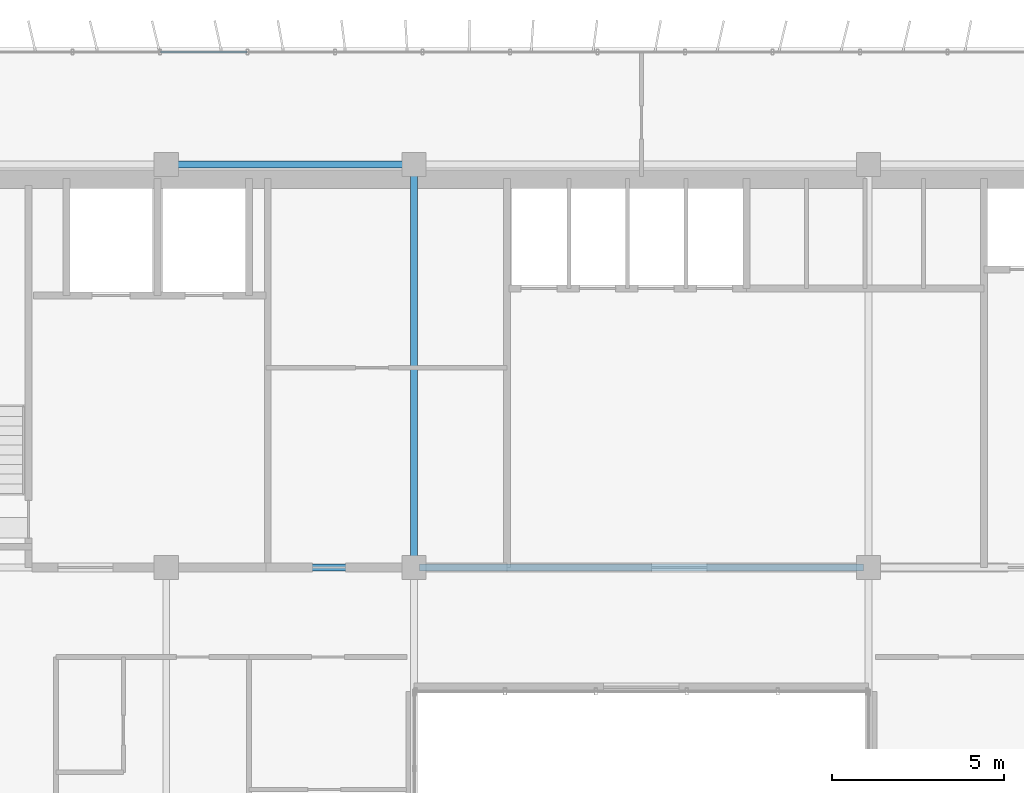
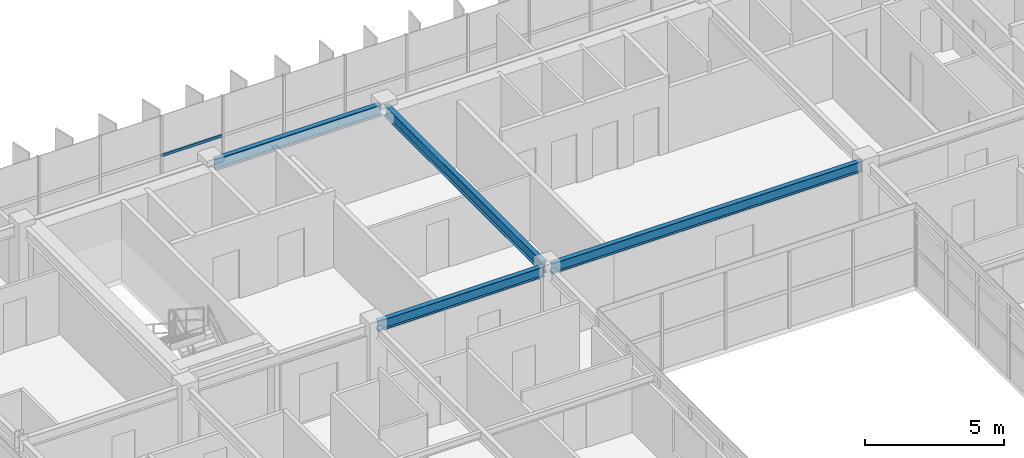
# One storey, part 17 of 34: 4 beams, 1 member, 1 element without a shape of its own.
"""IFC4 building model written with IfcOpenShell, lengths in metres."""

import ifcopenshell
import ifcopenshell.guid

model = None  # the IFC model being written
_history = None  # IfcOwnerHistory: only IFC2X3 demands one
_inside = {}  # id of a spatial element -> (the spatial element, [elements in it])
_under = {}  # id of a project, library or spatial element -> (it, [spatial elements below it])
_declared = {}  # id of a project -> (the project, [libraries it declares])
_typed = {}  # id of a type object -> (the type object, [elements of that type])
_made_of = {}  # id of a material, layer set ... -> (it, [elements and type objects made of it])


def new_model(schema):
    """Start an empty IFC model of exactly this schema.

    Asked for "IFC4X3", IfcOpenShell would pick the latest addendum, in which some entities
    have other attributes; the version numbers below select the first issue.
    IFC2X3 requires an IfcOwnerHistory on every rooted entity: one is made here for all.
    """
    global model, _history
    if schema == "IFC4X3":
        model = ifcopenshell.file(schema_version=(4, 3, 0, 0))
    else:
        model = ifcopenshell.file(schema=schema)
    _inside.clear()
    _under.clear()
    _declared.clear()
    _typed.clear()
    _made_of.clear()
    _history = None
    if model.schema == "IFC2X3":
        org = make("IfcOrganization", Name="unknown")
        user = make(
            "IfcPersonAndOrganization",
            ThePerson=make("IfcPerson", FamilyName="unknown"),
            TheOrganization=org,
        )
        app = make(
            "IfcApplication",
            ApplicationDeveloper=org,
            Version="unknown",
            ApplicationFullName="unknown",
            ApplicationIdentifier="unknown",
        )
        _history = make(
            "IfcOwnerHistory",
            OwningUser=user,
            OwningApplication=app,
            ChangeAction="ADDED",
            CreationDate=0,
        )
    return model


def make(cls, **values):
    """One entity of the class cls with the attributes given. An attribute that is None is left unset."""
    return model.create_entity(
        cls, **{name: value for name, value in values.items() if value is not None}
    )


def rooted(cls, **values):
    """An entity with a GlobalId (a new one), such as an element, a storey or a relation."""
    return make(cls, GlobalId=ifcopenshell.guid.new(), OwnerHistory=_history, **values)


def si_unit(unit_type, name, prefix=None):
    """IfcSIUnit, for example si_unit("LENGTHUNIT", "METRE", prefix="MILLI")."""
    return make("IfcSIUnit", UnitType=unit_type, Prefix=prefix, Name=name)


def assignment(units):
    """IfcUnitAssignment: the units of a project."""
    return None if units is None else make("IfcUnitAssignment", Units=units)


def point(xyz):
    """IfcCartesianPoint."""
    return None if xyz is None else make("IfcCartesianPoint", Coordinates=xyz)


def direction(xyz):
    """IfcDirection."""
    return None if xyz is None else make("IfcDirection", DirectionRatios=xyz)


def frame(location, z_axis=None, x_axis=None):
    """IfcAxis2Placement3D, a coordinate frame: its origin and axes. An axis left out is left unset."""
    return make(
        "IfcAxis2Placement3D",
        Location=point(location),
        Axis=direction(z_axis),
        RefDirection=direction(x_axis),
    )


def frame_2d(location, x_axis=None):
    """IfcAxis2Placement2D, a coordinate frame in the plane: its origin and x axis."""
    return make(
        "IfcAxis2Placement2D", Location=point(location), RefDirection=direction(x_axis)
    )


def origin():
    """The frame at (0, 0, 0) with its axes left unset."""
    return frame((0.0, 0.0, 0.0))


def origin_2d():
    """The frame at (0, 0) in the plane with its x axis left unset."""
    return frame_2d((0.0, 0.0))


def place(relative_to, where):
    """IfcLocalPlacement: puts the frame where relative to a parent placement (None: the world)."""
    return make(
        "IfcLocalPlacement", PlacementRelTo=relative_to, RelativePlacement=where
    )


def context(
    kind, dimensions, precision=None, world=None, true_north=None, identifier=None
):
    """IfcGeometricRepresentationContext, for example the 3D "Model" context."""
    return make(
        "IfcGeometricRepresentationContext",
        ContextIdentifier=identifier,
        ContextType=kind,
        CoordinateSpaceDimension=dimensions,
        Precision=precision,
        WorldCoordinateSystem=world,
        TrueNorth=true_north,
    )


def subcontext(parent, identifier, kind, view, scale=None):
    """IfcGeometricRepresentationSubContext, for example "Body" below "Model"."""
    return make(
        "IfcGeometricRepresentationSubContext",
        ContextIdentifier=identifier,
        ContextType=kind,
        ParentContext=parent,
        TargetScale=scale,
        TargetView=view,
    )


def project(units=None, contexts=None):
    """IfcProject with its units and contexts."""
    return rooted(
        "IfcProject",
        Name="project",
        RepresentationContexts=contexts,
        UnitsInContext=assignment(units),
    )


def spatial(cls, under=None, at=None, **own):
    """A site, building, storey or space (cls), placed at a placement, below another one or the project."""
    s = rooted(cls, ObjectPlacement=at, **own)
    if under is not None:
        _under.setdefault(under.id(), (under, []))[1].append(s)
    return s


def profile(cls, at=None, kind="AREA", **sizes):
    """A parametric profile (cls). Its sizes go by their IFC names, for example OverallWidth=200.0."""
    return make(cls, ProfileType=kind, Position=at, **sizes)


def hollow_rectangle(**sizes):
    """IfcRectangleHollowProfileDef."""
    return profile("IfcRectangleHollowProfileDef", **sizes)


def i_section(**sizes):
    """IfcIShapeProfileDef."""
    return profile("IfcIShapeProfileDef", **sizes)


def extrude(swept, where, along, depth):
    """IfcExtrudedAreaSolid: the profile swept, set in the frame where, extruded along a direction by depth."""
    return make(
        "IfcExtrudedAreaSolid",
        SweptArea=swept,
        Position=where,
        ExtrudedDirection=direction(along),
        Depth=depth,
    )


def shape(context_of_items, identifier, shape_type, items):
    """IfcShapeRepresentation: the items that make up one representation, for example the "Body"."""
    return make(
        "IfcShapeRepresentation",
        ContextOfItems=context_of_items,
        RepresentationIdentifier=identifier,
        RepresentationType=shape_type,
        Items=items,
    )


def source(mapping_origin, context_of_items, identifier, shape_type, items):
    """IfcRepresentationMap: a shape defined once, which mapped items show again and again."""
    return make(
        "IfcRepresentationMap",
        MappingOrigin=mapping_origin,
        MappedRepresentation=shape(context_of_items, identifier, shape_type, items),
    )


def transform(
    local_origin,
    x_axis=None,
    y_axis=None,
    z_axis=None,
    scale=None,
    scale2=None,
    scale3=None,
    uniform=True,
):
    """IfcCartesianTransformationOperator3D, or its non-uniform kind. x_axis, y_axis, z_axis: its Axis1, 2, 3."""
    if uniform:
        return make(
            "IfcCartesianTransformationOperator3D",
            Axis1=direction(x_axis),
            Axis2=direction(y_axis),
            LocalOrigin=point(local_origin),
            Scale=scale,
            Axis3=direction(z_axis),
        )
    return make(
        "IfcCartesianTransformationOperator3DnonUniform",
        Axis1=direction(x_axis),
        Axis2=direction(y_axis),
        LocalOrigin=point(local_origin),
        Scale=scale,
        Axis3=direction(z_axis),
        Scale2=scale2,
        Scale3=scale3,
    )


def mapped(mapping_source, mapping_target):
    """IfcMappedItem: shows the shape of a source again, moved by a transform."""
    return make(
        "IfcMappedItem", MappingSource=mapping_source, MappingTarget=mapping_target
    )


def material(Name=None, Category=None):
    """IfcMaterial."""
    return make("IfcMaterial", Name=Name, Category=Category)


def material_profile(
    of_material, cross_section, Name=None, Category=None, Priority=None
):
    """IfcMaterialProfile: a cross section and its material."""
    return make(
        "IfcMaterialProfile",
        Name=Name,
        Material=of_material,
        Profile=cross_section,
        Priority=Priority,
        Category=Category,
    )


def profile_set(profiles, Name=None, composite=None):
    """IfcMaterialProfileSet."""
    return make(
        "IfcMaterialProfileSet",
        Name=Name,
        MaterialProfiles=profiles,
        CompositeProfile=composite,
    )


def made_of(thing, what):
    """Note that an element or type object is made of a material, layer set ...; save() writes the relation."""
    if what is not None:
        _made_of.setdefault(what.id(), (what, []))[1].append(thing)
    return thing


def type_object(cls, material=None, **own):
    """A type object (cls), such as IfcWallType, which elements share."""
    return made_of(rooted(cls, **own), material)


def element(
    cls,
    number,
    at=None,
    inside=None,
    cuts=None,
    type_object=None,
    material=None,
    context=None,
    identifier="Body",
    shape_type=None,
    held_by="IfcProductDefinitionShape",
    body=None,
    shapes=None,
    **own,
):
    """One element of the class cls, such as IfcWall. Its Tag is "e" and its number.

    at: its placement. inside: the storey or other place that contains it. cuts: it is an
    opening in that element (IfcRelVoidsElement). A single representation is given by context,
    identifier, shape_type and body (its items); several are given by shapes. held_by: the class
    of the entity that holds the representations. save() writes the other relations.
    """
    e = rooted(cls, Tag="e%d" % number, ObjectPlacement=at, **own)
    if body is not None:
        shapes = [shape(context, identifier, shape_type, body)]
    if shapes is not None:
        e.Representation = make(held_by, Representations=shapes)
    if inside is not None:
        _inside.setdefault(inside.id(), (inside, []))[1].append(e)
    if cuts is not None:
        rooted(
            "IfcRelVoidsElement", RelatingBuildingElement=cuts, RelatedOpeningElement=e
        )
    if type_object is not None:
        _typed.setdefault(type_object.id(), (type_object, []))[1].append(e)
    return made_of(e, material)


def aggregate(whole, parts):
    """IfcRelAggregates: a whole, such as a stair, and the parts it consists of."""
    return rooted("IfcRelAggregates", RelatingObject=whole, RelatedObjects=parts)


def save(model, path):
    """Write the relations noted so far, then the file.

    IfcRelAggregates (storeys below a building ...), IfcRelContainedInSpatialStructure (elements
    in a storey), IfcRelDefinesByType, IfcRelAssociatesMaterial and IfcRelDeclares: one each for
    every whole, place, type object, material and project.
    """
    for whole, parts in _under.values():
        aggregate(whole, parts)
    for where, things in _inside.values():
        rooted(
            "IfcRelContainedInSpatialStructure",
            RelatedElements=things,
            RelatingStructure=where,
        )
    for kind, things in _typed.values():
        rooted("IfcRelDefinesByType", RelatedObjects=things, RelatingType=kind)
    for what, things in _made_of.values():
        rooted("IfcRelAssociatesMaterial", RelatedObjects=things, RelatingMaterial=what)
    for by, libraries in _declared.values():
        rooted("IfcRelDeclares", RelatingContext=by, RelatedDefinitions=libraries)
    model.write(path)


model = new_model("IFC4")

# Units and contexts
model_context = context("Model", 3, precision=1e-05, world=origin(), true_north=direction((0.0, 1.0)))
body_context = subcontext(model_context, "Body", "Model", "MODEL_VIEW")
ifc_project = project(units=[si_unit("LENGTHUNIT", "METRE"), si_unit("AREAUNIT", "SQUARE_METRE"), si_unit("VOLUMEUNIT", "CUBIC_METRE"), si_unit("PLANEANGLEUNIT", "RADIAN"), si_unit("MASSUNIT", "GRAM", prefix="KILO")], contexts=[model_context])

# Site, building, storey
site_placement = place(None, origin())
site = spatial("IfcSite", under=ifc_project, at=site_placement, CompositionType="ELEMENT")
building_placement = place(site_placement, origin())
building = spatial("IfcBuilding", under=site, at=building_placement, Name="Trelvane Seafront Commons", CompositionType="ELEMENT")
storey_placement = place(building_placement, frame((0.0, 0.0, 197.699951171875)))
storey = spatial("IfcBuildingStorey", under=building, at=storey_placement, Name="L51", CompositionType="ELEMENT", Elevation=197.699951171875)

# Beams
ifc_material_1 = material(Name="Steel SM355 (S355)", Category="steel")
ifc_material_profile_1 = material_profile(ifc_material_1, i_section(OverallWidth=0.199951171875, OverallDepth=0.5, WebThickness=0.010009765625, FlangeThickness=0.01611328125, at=origin_2d()), Name="H-500x200x10x16")
ifc_profile_set_1 = profile_set([ifc_material_profile_1], Name="Steel SM355 (S355)")
beam_type_1 = type_object("IfcBeamType", Name="STR-BM-H500", PredefinedType="BEAM", material=ifc_profile_set_1)
shared_shape_1 = source(origin(), body_context, "Body", "SweptSolid", [
    extrude(i_section(OverallWidth=0.199951171875, OverallDepth=0.5, WebThickness=0.010009765625, FlangeThickness=0.01611328125, at=origin_2d()), origin(), (0.0, 0.0, 1.0), 11.39990234375),
])
beam_1_placement = place(storey_placement, frame((30.60009765625, 33.550048828125, 3.110107421875), z_axis=(0.0, 1.0, 0.0), x_axis=(-1.0, 0.0, 0.0)))
element("IfcBeam", 1, at=beam_1_placement, inside=storey, type_object=beam_type_1, Name="L51 Primary Girder G-40", PredefinedType="BEAM", context=body_context, shape_type="MappedRepresentation", body=[
    mapped(shared_shape_1, transform((0.0, 0.0, 0.0), x_axis=(1.0, 0.0, 0.0), y_axis=(0.0, 1.0, 0.0), z_axis=(0.0, 0.0, 1.0), scale=1.0)),
])
ifc_material_profile_2 = material_profile(ifc_material_1, i_section(OverallWidth=0.199951171875, OverallDepth=0.449951171875, WebThickness=0.009033203125, FlangeThickness=0.013916015625, at=origin_2d()), Name="H-450x200x9x14")
ifc_profile_set_2 = profile_set([ifc_material_profile_2], Name="Steel SM355 (S355)")
beam_type_2 = type_object("IfcBeamType", Name="STR-SPD-H450", PredefinedType="SPANDREL", material=ifc_profile_set_2)
shared_shape_2 = source(origin(), body_context, "Body", "SweptSolid", [
    extrude(i_section(OverallWidth=0.199951171875, OverallDepth=0.449951171875, WebThickness=0.009033203125, FlangeThickness=0.013916015625, at=origin_2d()), origin(), (0.0, 0.0, 1.0), 6.89990234375),
])
for number, where, z_axis, x_axis, name in (
    (2, (23.550048828125, 33.39990234375, 3.135009765625), (1.0, 0.0, 0.0), (0.0, 1.0, 0.0), "L51 Primary Girder G-17"),
    (3, (23.550048828125, 45.10009765625, 3.135009765625), (1.0, 0.0, 0.0), (0.0, 1.0, 0.0), "L51 Primary Girder G-24"),
):
    element("IfcBeam", number, at=place(storey_placement, frame(where, z_axis=z_axis, x_axis=x_axis)), inside=storey, type_object=beam_type_2, Name=name, PredefinedType="SPANDREL", context=body_context, shape_type="MappedRepresentation", body=[
        mapped(shared_shape_2, transform((0.0, 0.0, 0.0), x_axis=(1.0, 0.0, 0.0), y_axis=(0.0, 1.0, 0.0), z_axis=(0.0, 0.0, 1.0), scale=1.0)),
    ])
shared_shape_3 = source(origin(), body_context, "Body", "SweptSolid", [
    extrude(i_section(OverallWidth=0.199951171875, OverallDepth=0.449951171875, WebThickness=0.009033203125, FlangeThickness=0.013916015625, at=origin_2d()), origin(), (0.0, 0.0, 1.0), 12.89990234375),
])
beam_2_placement = place(storey_placement, frame((30.75, 33.39990234375, 3.135009765625), z_axis=(1.0, 0.0, 0.0), x_axis=(0.0, 1.0, 0.0)))
element("IfcBeam", 4, at=beam_2_placement, inside=storey, type_object=beam_type_2, Name="L51 Primary Girder G-18", PredefinedType="SPANDREL", context=body_context, shape_type="MappedRepresentation", body=[
    mapped(shared_shape_3, transform((0.0, 0.0, 0.0), x_axis=(1.0, 0.0, 0.0), y_axis=(0.0, 1.0, 0.0), z_axis=(0.0, 0.0, 1.0), scale=1.0)),
])

# Curtain wall, member
ifc_material_2 = material(Name="Anodised pale-silver aluminium", Category="aluminium")
curtain_wall_type = type_object("IfcCurtainWallType", Name="ARCH-CW5-UPTOWER", PredefinedType="NOTDEFINED", material=ifc_material_2)
curtain_wall_placement = place(storey_placement, origin())
curtain_wall = element("IfcCurtainWall", 5, at=curtain_wall_placement, inside=storey, type_object=curtain_wall_type, Name="CW-L51-0084", PredefinedType="NOTDEFINED")
ifc_material_profile_3 = material_profile(ifc_material_2, hollow_rectangle(XDim=0.070068359375, YDim=0.1201171875, WallThickness=0.00390625, at=origin_2d()), Name="TRAN-70x120x4")
ifc_profile_set_3 = profile_set([ifc_material_profile_3], Name="Anodised pale-silver aluminium")
member_type = type_object("IfcMemberType", Name="ARCH-CW-TRAN-120", PredefinedType="USERDEFINED", material=ifc_profile_set_3)
shared_shape_4 = source(origin(), body_context, "Body", "SweptSolid", [
    extrude(hollow_rectangle(XDim=0.070068359375, YDim=0.1201171875, WallThickness=0.00390625, at=origin_2d()), origin(), (0.0, 0.0, 1.0), 2.51708984375),
])
member_placement = place(storey_placement, frame((23.235595703125, 48.3701171875, 1.613037109375), z_axis=(1.0, 0.0, 0.0), x_axis=(0.0, 1.0, 0.0)))
member = element("IfcMember", 6, at=member_placement, type_object=member_type, Name="CW-L51-0084-T03", ObjectType="TRANSOM", PredefinedType="USERDEFINED", context=body_context, shape_type="MappedRepresentation", body=[
    mapped(shared_shape_4, transform((0.0, 0.0, 0.0), x_axis=(1.0, 0.0, 0.0), y_axis=(0.0, 1.0, 0.0), z_axis=(0.0, 0.0, 1.0), scale=1.0)),
])
aggregate(curtain_wall, [member])

save(model, "model.ifc")
